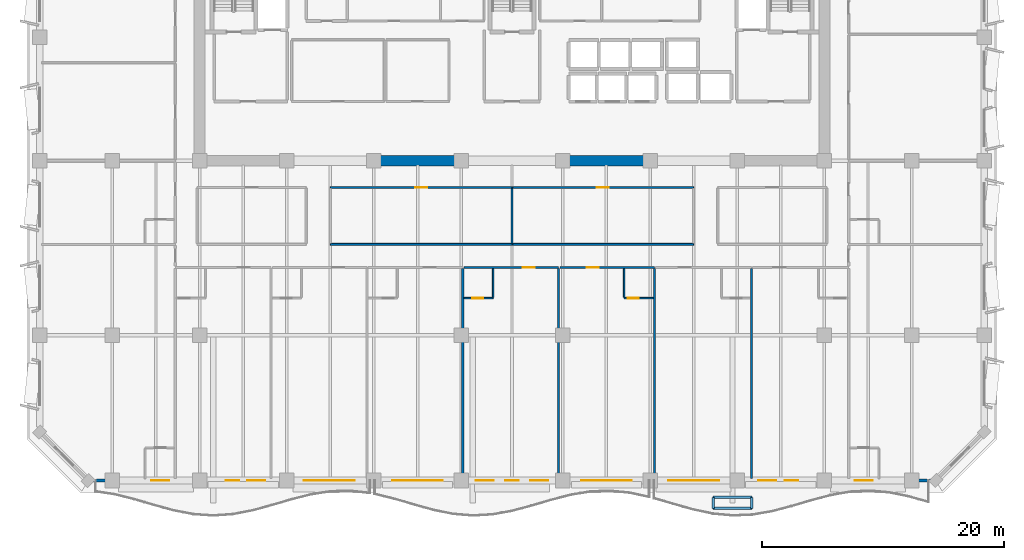
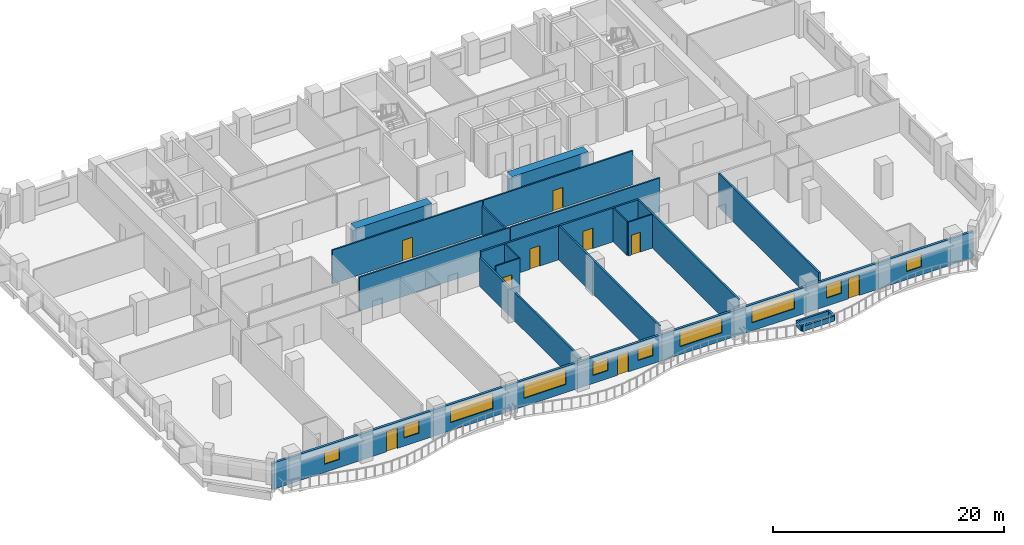
# One storey, part 5 of 15: 22 walls, 10 windows, 9 doors, 19 openings.
"""IFC4 building model written with IfcOpenShell, lengths in metres."""

from ifc_helpers import new_model, si_unit, direction, frame, frame_2d, origin, place, context, subcontext, project, spatial, rectangle, extrude, material, layer, layer_set, type_object, element, fill, save


model = new_model("IFC4")

# Units and contexts
model_context = context("Model", 3, precision=1e-05, world=origin(), true_north=direction((0.0, 1.0)))
body_context = subcontext(model_context, "Body", "Model", "MODEL_VIEW")
ifc_project = project(units=[si_unit("LENGTHUNIT", "METRE"), si_unit("AREAUNIT", "SQUARE_METRE"), si_unit("VOLUMEUNIT", "CUBIC_METRE"), si_unit("PLANEANGLEUNIT", "RADIAN"), si_unit("MASSUNIT", "GRAM", prefix="KILO")], contexts=[model_context])

# Site, building, storey
site_placement = place(None, origin())
site = spatial("IfcSite", under=ifc_project, at=site_placement, CompositionType="ELEMENT")
building_placement = place(site_placement, origin())
building = spatial("IfcBuilding", under=site, at=building_placement, Name="Kaelvorn Grand Hotel", CompositionType="ELEMENT")
storey_placement = place(building_placement, frame((0.0, 0.0, 177.14990234375)))
storey = spatial("IfcBuildingStorey", under=building, at=storey_placement, Name="L43", CompositionType="ELEMENT", Elevation=177.14990234375)

# Walls
ifc_material_1 = material(Name="Concrete C60/75", Category="concrete")
ifc_layer_1 = layer(ifc_material_1, 0.89990234375)
ifc_layer_set_1 = layer_set([ifc_layer_1], Name="Concrete C60/75")
wall_type_1 = type_object("IfcWallType", Name="WL-CORE-900-C60", PredefinedType="SHEAR", material=ifc_layer_set_1)
for number, where, z_axis, x_axis, name in (
    (1, (30.39990234375, 29.39990234375, 0.0), (0.0, 0.0, 1.0), (1.0, 0.0, 0.0), "L43 Rear-Core Coupled Shear Pier S2"),
    (2, (46.0, 29.39990234375, 0.0), (0.0, 0.0, 1.0), (1.0, 0.0, 0.0), "L43 Rear-Core Coupled Shear Pier S3"),
):
    element("IfcWall", number, at=place(storey_placement, frame(where, z_axis=z_axis, x_axis=x_axis)), inside=storey, type_object=wall_type_1, Name=name, PredefinedType="SHEAR", context=body_context, shape_type="SweptSolid", body=[
        extrude(rectangle(XDim=7.60009765625, YDim=0.89990234375, at=frame_2d((3.800048828125, 0.0))), origin(), (0.0, 0.0, 1.0), 3.56005859375),
    ])

# Wall, openings, doors, windows
ifc_material_2 = material(Name="Concrete C40/50", Category="concrete")
ifc_layer_2 = layer(ifc_material_2, 0.239990234375)
ifc_layer_set_2 = layer_set([ifc_layer_2], Name="Concrete C40/50")
wall_type_2 = type_object("IfcWallType", Name="WL-EXT-240-C40", PredefinedType="SOLIDWALL", material=ifc_layer_set_2)
wall_1_placement = place(storey_placement, frame((7.0, 3.0, 0.0), z_axis=(0.0, 0.0, 1.0), x_axis=(1.0, 0.0, 0.0)))
wall_1 = element("IfcWall", 3, at=wall_1_placement, inside=storey, type_object=wall_type_2, Name="L43 Exterior Architectural Concrete Wall 01", PredefinedType="SOLIDWALL", context=body_context, shape_type="SweptSolid", body=[
    extrude(rectangle(XDim=70.0, YDim=0.239990234375, at=frame_2d((35.0, 0.0))), origin(), (0.0, 0.0, 1.0), 2.760009765625),
])
opening_1_placement = place(wall_1_placement, frame((11.38330078125, 0.0, 0.0)))
opening_1 = element("IfcOpeningElement", 4, at=opening_1_placement, cuts=wall_1, Name="Opening DE2", PredefinedType="OPENING", context=body_context, shape_type="SweptSolid", body=[
    extrude(rectangle(XDim=1.10009765625, YDim=2.14990234375, at=frame_2d((0.550048828125, 1.074951171875))), frame((0.0, 0.1298828125, 0.0), z_axis=(0.0, -1.0, 0.0), x_axis=(1.0, 0.0, 0.0)), (0.0, 0.0, 1.0), 0.260009765625),
])
opening_2_placement = place(wall_1_placement, frame((34.449951171875, 0.0, 0.0)))
opening_2 = element("IfcOpeningElement", 5, at=opening_2_placement, cuts=wall_1, Name="Opening DE2", PredefinedType="OPENING", context=body_context, shape_type="SweptSolid", body=[
    extrude(rectangle(XDim=1.10009765625, YDim=2.14990234375, at=frame_2d((0.550048828125, 1.074951171875))), frame((0.0, 0.1298828125, 0.0), z_axis=(0.0, -1.0, 0.0), x_axis=(1.0, 0.0, 0.0)), (0.0, 0.0, 1.0), 0.260009765625),
])
opening_3_placement = place(wall_1_placement, frame((57.5166015625, 0.0, 0.0)))
opening_3 = element("IfcOpeningElement", 6, at=opening_3_placement, cuts=wall_1, Name="Opening DE2", PredefinedType="OPENING", context=body_context, shape_type="SweptSolid", body=[
    extrude(rectangle(XDim=1.10009765625, YDim=2.14990234375, at=frame_2d((0.550048828125, 1.074951171875))), frame((0.0, 0.1298828125, 0.0), z_axis=(0.0, -1.0, 0.0), x_axis=(1.0, 0.0, 0.0)), (0.0, 0.0, 1.0), 0.260009765625),
])
opening_4_placement = place(wall_1_placement, frame((5.199951171875, 0.0, 0.85009765625)))
opening_4 = element("IfcOpeningElement", 7, at=opening_4_placement, cuts=wall_1, Name="Opening W10", PredefinedType="OPENING", context=body_context, shape_type="SweptSolid", body=[
    extrude(rectangle(XDim=1.5, YDim=1.39990234375, at=frame_2d((0.75, 0.699951171875))), frame((0.0, 0.1298828125, 0.0), z_axis=(0.0, -1.0, 0.0), x_axis=(1.0, 0.0, 0.0)), (0.0, 0.0, 1.0), 0.260009765625),
])
opening_5_placement = place(wall_1_placement, frame((13.132568359375, 0.0, 0.85009765625)))
opening_5 = element("IfcOpeningElement", 8, at=opening_5_placement, cuts=wall_1, Name="Opening W10", PredefinedType="OPENING", context=body_context, shape_type="SweptSolid", body=[
    extrude(rectangle(XDim=1.5, YDim=1.39990234375, at=frame_2d((0.75, 0.699951171875))), frame((0.0, 0.1298828125, 0.0), z_axis=(0.0, -1.0, 0.0), x_axis=(1.0, 0.0, 0.0)), (0.0, 0.0, 1.0), 0.260009765625),
])
opening_6_placement = place(wall_1_placement, frame((17.8125, 0.0, 0.85009765625)))
opening_6 = element("IfcOpeningElement", 9, at=opening_6_placement, cuts=wall_1, Name="Opening W2", PredefinedType="OPENING", context=body_context, shape_type="SweptSolid", body=[
    extrude(rectangle(XDim=4.199951171875, YDim=1.64990234375, at=frame_2d((2.10009765625, 0.824951171875))), frame((0.0, 0.1298828125, 0.0), z_axis=(0.0, -1.0, 0.0), x_axis=(1.0, 0.0, 0.0)), (0.0, 0.0, 1.0), 0.260009765625),
])
opening_7_placement = place(wall_1_placement, frame((25.10009765625, 0.0, 0.85009765625)))
opening_7 = element("IfcOpeningElement", 10, at=opening_7_placement, cuts=wall_1, Name="Opening W2", PredefinedType="OPENING", context=body_context, shape_type="SweptSolid", body=[
    extrude(rectangle(XDim=4.199951171875, YDim=1.64990234375, at=frame_2d((2.10009765625, 0.824951171875))), frame((0.0, 0.1298828125, 0.0), z_axis=(0.0, -1.0, 0.0), x_axis=(1.0, 0.0, 0.0)), (0.0, 0.0, 1.0), 0.260009765625),
])
opening_8_placement = place(wall_1_placement, frame((31.989990234375, 0.0, 0.85009765625)))
opening_8 = element("IfcOpeningElement", 11, at=opening_8_placement, cuts=wall_1, Name="Opening W10", PredefinedType="OPENING", context=body_context, shape_type="SweptSolid", body=[
    extrude(rectangle(XDim=1.5, YDim=1.39990234375, at=frame_2d((0.75, 0.699951171875))), frame((0.0, 0.1298828125, 0.0), z_axis=(0.0, -1.0, 0.0), x_axis=(1.0, 0.0, 0.0)), (0.0, 0.0, 1.0), 0.260009765625),
])
opening_9_placement = place(wall_1_placement, frame((36.510009765625, 0.0, 0.85009765625)))
opening_9 = element("IfcOpeningElement", 12, at=opening_9_placement, cuts=wall_1, Name="Opening W10", PredefinedType="OPENING", context=body_context, shape_type="SweptSolid", body=[
    extrude(rectangle(XDim=1.5, YDim=1.39990234375, at=frame_2d((0.75, 0.699951171875))), frame((0.0, 0.1298828125, 0.0), z_axis=(0.0, -1.0, 0.0), x_axis=(1.0, 0.0, 0.0)), (0.0, 0.0, 1.0), 0.260009765625),
])
opening_10_placement = place(wall_1_placement, frame((40.699951171875, 0.0, 0.85009765625)))
opening_10 = element("IfcOpeningElement", 13, at=opening_10_placement, cuts=wall_1, Name="Opening W2", PredefinedType="OPENING", context=body_context, shape_type="SweptSolid", body=[
    extrude(rectangle(XDim=4.199951171875, YDim=1.64990234375, at=frame_2d((2.10009765625, 0.824951171875))), frame((0.0, 0.1298828125, 0.0), z_axis=(0.0, -1.0, 0.0), x_axis=(1.0, 0.0, 0.0)), (0.0, 0.0, 1.0), 0.260009765625),
])
opening_11_placement = place(wall_1_placement, frame((47.89990234375, 0.0, 0.85009765625)))
opening_11 = element("IfcOpeningElement", 14, at=opening_11_placement, cuts=wall_1, Name="Opening W2", PredefinedType="OPENING", context=body_context, shape_type="SweptSolid", body=[
    extrude(rectangle(XDim=4.199951171875, YDim=1.64990234375, at=frame_2d((2.10009765625, 0.824951171875))), frame((0.0, 0.1298828125, 0.0), z_axis=(0.0, -1.0, 0.0), x_axis=(1.0, 0.0, 0.0)), (0.0, 0.0, 1.0), 0.260009765625),
])
opening_12_placement = place(wall_1_placement, frame((55.31396484375, 0.0, 0.85009765625)))
opening_12 = element("IfcOpeningElement", 15, at=opening_12_placement, cuts=wall_1, Name="Opening W10", PredefinedType="OPENING", context=body_context, shape_type="SweptSolid", body=[
    extrude(rectangle(XDim=1.5, YDim=1.39990234375, at=frame_2d((0.75, 0.699951171875))), frame((0.0, 0.1298828125, 0.0), z_axis=(0.0, -1.0, 0.0), x_axis=(1.0, 0.0, 0.0)), (0.0, 0.0, 1.0), 0.260009765625),
])
opening_13_placement = place(wall_1_placement, frame((63.300048828125, 0.0, 0.85009765625)))
opening_13 = element("IfcOpeningElement", 16, at=opening_13_placement, cuts=wall_1, Name="Opening W10", PredefinedType="OPENING", context=body_context, shape_type="SweptSolid", body=[
    extrude(rectangle(XDim=1.5, YDim=1.39990234375, at=frame_2d((0.75, 0.699951171875))), frame((0.0, 0.1298828125, 0.0), z_axis=(0.0, -1.0, 0.0), x_axis=(1.0, 0.0, 0.0)), (0.0, 0.0, 1.0), 0.260009765625),
])
ifc_material_3 = material(Name="Anodised Aluminium", Category="aluminium")
door_type_1 = type_object("IfcDoorType", Name="DR-EXT-BALC-1100x2150", OperationType="NOTDEFINED", PredefinedType="DOOR", material=ifc_material_3)
door_1_placement = place(opening_1_placement, origin())
door_1 = element("IfcDoor", 17, at=door_1_placement, inside=storey, type_object=door_type_1, Name="L43 Scalloped Balcony Glazed Door DE2-1", OperationType="SINGLE_SWING_LEFT", OverallHeight=2.14990234375, OverallWidth=1.10009765625, PredefinedType="DOOR", context=body_context, shape_type="SweptSolid", body=[
    extrude(rectangle(XDim=1.10009765625, YDim=2.14990234375, at=frame_2d((0.550048828125, 1.074951171875))), frame((0.0, 0.02490234375, 0.0), z_axis=(0.0, -1.0, 0.0), x_axis=(1.0, 0.0, 0.0)), (0.0, 0.0, 1.0), 0.050048828125),
])
fill(opening_1, door_1)
door_2_placement = place(opening_2_placement, origin())
door_2 = element("IfcDoor", 18, at=door_2_placement, inside=storey, type_object=door_type_1, Name="L43 Scalloped Balcony Glazed Door DE2-2", OperationType="SINGLE_SWING_RIGHT", OverallHeight=2.14990234375, OverallWidth=1.10009765625, PredefinedType="DOOR", context=body_context, shape_type="SweptSolid", body=[
    extrude(rectangle(XDim=1.10009765625, YDim=2.14990234375, at=frame_2d((0.550048828125, 1.074951171875))), frame((0.0, 0.02490234375, 0.0), z_axis=(0.0, -1.0, 0.0), x_axis=(1.0, 0.0, 0.0)), (0.0, 0.0, 1.0), 0.050048828125),
])
fill(opening_2, door_2)
door_3_placement = place(opening_3_placement, origin())
door_3 = element("IfcDoor", 19, at=door_3_placement, inside=storey, type_object=door_type_1, Name="L43 Scalloped Balcony Glazed Door DE2-3", OperationType="SINGLE_SWING_LEFT", OverallHeight=2.14990234375, OverallWidth=1.10009765625, PredefinedType="DOOR", context=body_context, shape_type="SweptSolid", body=[
    extrude(rectangle(XDim=1.10009765625, YDim=2.14990234375, at=frame_2d((0.550048828125, 1.074951171875))), frame((0.0, 0.02490234375, 0.0), z_axis=(0.0, -1.0, 0.0), x_axis=(1.0, 0.0, 0.0)), (0.0, 0.0, 1.0), 0.050048828125),
])
fill(opening_3, door_3)
ifc_material_4 = material(Name="Laminated Low-E Glass", Category="glass")
window_type_1 = type_object("IfcWindowType", Name="WIN-COR-1500x1400", PartitioningType="SINGLE_PANEL", PredefinedType="WINDOW", material=ifc_material_4)
window_1_placement = place(opening_4_placement, origin())
window_1 = element("IfcWindow", 20, at=window_1_placement, inside=storey, type_object=window_type_1, Name="L43 South Guestroom Ribbon Window SR01", OverallHeight=1.39990234375, OverallWidth=1.5, PartitioningType="SINGLE_PANEL", PredefinedType="WINDOW", context=body_context, shape_type="SweptSolid", body=[
    extrude(rectangle(XDim=1.5, YDim=1.39990234375, at=frame_2d((0.75, 0.699951171875))), frame((0.0, 0.030029296875, 0.0), z_axis=(0.0, -1.0, 0.0), x_axis=(1.0, 0.0, 0.0)), (0.0, 0.0, 1.0), 0.06005859375),
])
fill(opening_4, window_1)
window_2_placement = place(opening_5_placement, origin())
window_2 = element("IfcWindow", 21, at=window_2_placement, inside=storey, type_object=window_type_1, Name="L43 South Guestroom Ribbon Window SR02", OverallHeight=1.39990234375, OverallWidth=1.5, PartitioningType="SINGLE_PANEL", PredefinedType="WINDOW", context=body_context, shape_type="SweptSolid", body=[
    extrude(rectangle(XDim=1.5, YDim=1.39990234375, at=frame_2d((0.75, 0.699951171875))), frame((0.0, 0.030029296875, 0.0), z_axis=(0.0, -1.0, 0.0), x_axis=(1.0, 0.0, 0.0)), (0.0, 0.0, 1.0), 0.06005859375),
])
fill(opening_5, window_2)
window_3_placement = place(opening_8_placement, origin())
window_3 = element("IfcWindow", 22, at=window_3_placement, inside=storey, type_object=window_type_1, Name="L43 South Guestroom Ribbon Window SR05", OverallHeight=1.39990234375, OverallWidth=1.5, PartitioningType="SINGLE_PANEL", PredefinedType="WINDOW", context=body_context, shape_type="SweptSolid", body=[
    extrude(rectangle(XDim=1.5, YDim=1.39990234375, at=frame_2d((0.75, 0.699951171875))), frame((0.0, 0.030029296875, 0.0), z_axis=(0.0, -1.0, 0.0), x_axis=(1.0, 0.0, 0.0)), (0.0, 0.0, 1.0), 0.06005859375),
])
fill(opening_8, window_3)
window_4_placement = place(opening_9_placement, origin())
window_4 = element("IfcWindow", 23, at=window_4_placement, inside=storey, type_object=window_type_1, Name="L43 South Guestroom Ribbon Window SR06", OverallHeight=1.39990234375, OverallWidth=1.5, PartitioningType="SINGLE_PANEL", PredefinedType="WINDOW", context=body_context, shape_type="SweptSolid", body=[
    extrude(rectangle(XDim=1.5, YDim=1.39990234375, at=frame_2d((0.75, 0.699951171875))), frame((0.0, 0.030029296875, 0.0), z_axis=(0.0, -1.0, 0.0), x_axis=(1.0, 0.0, 0.0)), (0.0, 0.0, 1.0), 0.06005859375),
])
fill(opening_9, window_4)
window_5_placement = place(opening_12_placement, origin())
window_5 = element("IfcWindow", 24, at=window_5_placement, inside=storey, type_object=window_type_1, Name="L43 South Guestroom Ribbon Window SR09", OverallHeight=1.39990234375, OverallWidth=1.5, PartitioningType="SINGLE_PANEL", PredefinedType="WINDOW", context=body_context, shape_type="SweptSolid", body=[
    extrude(rectangle(XDim=1.5, YDim=1.39990234375, at=frame_2d((0.75, 0.699951171875))), frame((0.0, 0.030029296875, 0.0), z_axis=(0.0, -1.0, 0.0), x_axis=(1.0, 0.0, 0.0)), (0.0, 0.0, 1.0), 0.06005859375),
])
fill(opening_12, window_5)
window_6_placement = place(opening_13_placement, origin())
window_6 = element("IfcWindow", 25, at=window_6_placement, inside=storey, type_object=window_type_1, Name="L43 South Guestroom Ribbon Window SR10", OverallHeight=1.39990234375, OverallWidth=1.5, PartitioningType="SINGLE_PANEL", PredefinedType="WINDOW", context=body_context, shape_type="SweptSolid", body=[
    extrude(rectangle(XDim=1.5, YDim=1.39990234375, at=frame_2d((0.75, 0.699951171875))), frame((0.0, 0.030029296875, 0.0), z_axis=(0.0, -1.0, 0.0), x_axis=(1.0, 0.0, 0.0)), (0.0, 0.0, 1.0), 0.06005859375),
])
fill(opening_13, window_6)
window_type_2 = type_object("IfcWindowType", Name="WIN-RIB-4200x1650", PartitioningType="SINGLE_PANEL", PredefinedType="WINDOW", material=ifc_material_4)
window_7_placement = place(opening_6_placement, origin())
window_7 = element("IfcWindow", 26, at=window_7_placement, inside=storey, type_object=window_type_2, Name="L43 South Guestroom Ribbon Window SR03", OverallHeight=1.64990234375, OverallWidth=4.199951171875, PartitioningType="SINGLE_PANEL", PredefinedType="WINDOW", context=body_context, shape_type="SweptSolid", body=[
    extrude(rectangle(XDim=4.199951171875, YDim=1.64990234375, at=frame_2d((2.10009765625, 0.824951171875))), frame((0.0, 0.030029296875, 0.0), z_axis=(0.0, -1.0, 0.0), x_axis=(1.0, 0.0, 0.0)), (0.0, 0.0, 1.0), 0.06005859375),
])
fill(opening_6, window_7)
window_8_placement = place(opening_7_placement, origin())
window_8 = element("IfcWindow", 27, at=window_8_placement, inside=storey, type_object=window_type_2, Name="L43 South Guestroom Ribbon Window SR04", OverallHeight=1.64990234375, OverallWidth=4.199951171875, PartitioningType="SINGLE_PANEL", PredefinedType="WINDOW", context=body_context, shape_type="SweptSolid", body=[
    extrude(rectangle(XDim=4.199951171875, YDim=1.64990234375, at=frame_2d((2.10009765625, 0.824951171875))), frame((0.0, 0.030029296875, 0.0), z_axis=(0.0, -1.0, 0.0), x_axis=(1.0, 0.0, 0.0)), (0.0, 0.0, 1.0), 0.06005859375),
])
fill(opening_7, window_8)
window_9_placement = place(opening_10_placement, origin())
window_9 = element("IfcWindow", 28, at=window_9_placement, inside=storey, type_object=window_type_2, Name="L43 South Guestroom Ribbon Window SR07", OverallHeight=1.64990234375, OverallWidth=4.199951171875, PartitioningType="SINGLE_PANEL", PredefinedType="WINDOW", context=body_context, shape_type="SweptSolid", body=[
    extrude(rectangle(XDim=4.199951171875, YDim=1.64990234375, at=frame_2d((2.10009765625, 0.824951171875))), frame((0.0, 0.030029296875, 0.0), z_axis=(0.0, -1.0, 0.0), x_axis=(1.0, 0.0, 0.0)), (0.0, 0.0, 1.0), 0.06005859375),
])
fill(opening_10, window_9)
window_10_placement = place(opening_11_placement, origin())
window_10 = element("IfcWindow", 29, at=window_10_placement, inside=storey, type_object=window_type_2, Name="L43 South Guestroom Ribbon Window SR08", OverallHeight=1.64990234375, OverallWidth=4.199951171875, PartitioningType="SINGLE_PANEL", PredefinedType="WINDOW", context=body_context, shape_type="SweptSolid", body=[
    extrude(rectangle(XDim=4.199951171875, YDim=1.64990234375, at=frame_2d((2.10009765625, 0.824951171875))), frame((0.0, 0.030029296875, 0.0), z_axis=(0.0, -1.0, 0.0), x_axis=(1.0, 0.0, 0.0)), (0.0, 0.0, 1.0), 0.06005859375),
])
fill(opening_11, window_10)

# Wall, opening, door
ifc_material_5 = material(Name="Moisture-Resistant Tile & Stud Board")
ifc_layer_3 = layer(ifc_material_5, 0.125)
ifc_layer_set_3 = layer_set([ifc_layer_3], Name="Moisture-Resistant Tile & Stud Board")
wall_type_3 = type_object("IfcWallType", Name="WL-PART-125-WET", PredefinedType="PARTITIONING", material=ifc_layer_set_3)
wall_2_placement = place(storey_placement, frame((38.031982421875, 18.050048828125, 0.0), z_axis=(0.0, 0.0, 1.0), x_axis=(1.0, 0.0, 0.0)))
wall_2 = element("IfcWall", 30, at=wall_2_placement, inside=storey, type_object=wall_type_3, Name="L43 En-suite Bathroom L43-04 S Partition", PredefinedType="PARTITIONING", context=body_context, shape_type="SweptSolid", body=[
    extrude(rectangle(XDim=2.405029296875, YDim=0.125, at=frame_2d((1.20263671875, 0.0))), origin(), (0.0, 0.0, 1.0), 3.56005859375),
])
opening_14_placement = place(wall_2_placement, frame((0.705078125, 0.0, 0.0)))
opening_14 = element("IfcOpeningElement", 31, at=opening_14_placement, cuts=wall_2, Name="Opening DI4", PredefinedType="OPENING", context=body_context, shape_type="SweptSolid", body=[
    extrude(rectangle(XDim=0.89990234375, YDim=2.10009765625, at=frame_2d((0.449951171875, 1.050048828125))), frame((0.0, 0.072509765625, 0.0), z_axis=(0.0, -1.0, 0.0), x_axis=(1.0, 0.0, 0.0)), (0.0, 0.0, 1.0), 0.14501953125),
])
ifc_material_6 = material(Name="Timber Veneer Leaf", Category="wood")
door_type_2 = type_object("IfcDoorType", Name="DR-INT-BATH-900x2100", OperationType="NOTDEFINED", PredefinedType="DOOR", material=ifc_material_6)
door_4_placement = place(opening_14_placement, origin())
door_4 = element("IfcDoor", 32, at=door_4_placement, inside=storey, type_object=door_type_2, Name="L43 En-suite Bathroom L43-04 Door", OperationType="SINGLE_SWING_RIGHT", OverallHeight=2.10009765625, OverallWidth=0.89990234375, PredefinedType="DOOR", context=body_context, shape_type="SweptSolid", body=[
    extrude(rectangle(XDim=0.89990234375, YDim=2.10009765625, at=frame_2d((0.449951171875, 1.050048828125))), frame((0.0, 0.02490234375, 0.0), z_axis=(0.0, -1.0, 0.0), x_axis=(1.0, 0.0, 0.0)), (0.0, 0.0, 1.0), 0.050048828125),
])
fill(opening_14, door_4)

# Wall
wall_3_placement = place(storey_placement, frame((40.43701171875, 18.117431640625, 0.0), z_axis=(0.0, 0.0, 1.0), x_axis=(0.0, 1.0, 0.0)))
element("IfcWall", 33, at=wall_3_placement, inside=storey, type_object=wall_type_3, Name="L43 En-suite Bathroom L43-04 E Partition", PredefinedType="PARTITIONING", context=body_context, shape_type="SweptSolid", body=[
    extrude(rectangle(XDim=2.387451171875, YDim=0.125, at=frame_2d((1.19384765625, 0.0))), origin(), (0.0, 0.0, 1.0), 3.56005859375),
])

# Wall, opening, door
wall_4_placement = place(storey_placement, frame((51.261474609375, 18.050048828125, 0.0), z_axis=(0.0, 0.0, 1.0), x_axis=(1.0, 0.0, 0.0)))
wall_4 = element("IfcWall", 34, at=wall_4_placement, inside=storey, type_object=wall_type_3, Name="L43 En-suite Bathroom L43-05 S Partition", PredefinedType="PARTITIONING", context=body_context, shape_type="SweptSolid", body=[
    extrude(rectangle(XDim=2.405029296875, YDim=0.125, at=frame_2d((1.20263671875, 0.0))), origin(), (0.0, 0.0, 1.0), 3.56005859375),
])
opening_15_placement = place(wall_4_placement, frame((0.300048828125, 0.0, 0.0)))
opening_15 = element("IfcOpeningElement", 35, at=opening_15_placement, cuts=wall_4, Name="Opening DI4", PredefinedType="OPENING", context=body_context, shape_type="SweptSolid", body=[
    extrude(rectangle(XDim=0.89990234375, YDim=2.10009765625, at=frame_2d((0.449951171875, 1.050048828125))), frame((0.0, 0.072509765625, 0.0), z_axis=(0.0, -1.0, 0.0), x_axis=(1.0, 0.0, 0.0)), (0.0, 0.0, 1.0), 0.14501953125),
])
door_5_placement = place(opening_15_placement, origin())
door_5 = element("IfcDoor", 36, at=door_5_placement, inside=storey, type_object=door_type_2, Name="L43 En-suite Bathroom L43-05 Door", OperationType="SINGLE_SWING_RIGHT", OverallHeight=2.10009765625, OverallWidth=0.89990234375, PredefinedType="DOOR", context=body_context, shape_type="SweptSolid", body=[
    extrude(rectangle(XDim=0.89990234375, YDim=2.10009765625, at=frame_2d((0.449951171875, 1.050048828125))), frame((0.0, 0.02490234375, 0.0), z_axis=(0.0, -1.0, 0.0), x_axis=(1.0, 0.0, 0.0)), (0.0, 0.0, 1.0), 0.050048828125),
])
fill(opening_15, door_5)

# Walls
wall_5_placement = place(storey_placement, frame((51.261474609375, 18.117431640625, 0.0), z_axis=(0.0, 0.0, 1.0), x_axis=(0.0, 1.0, 0.0)))
element("IfcWall", 37, at=wall_5_placement, inside=storey, type_object=wall_type_3, Name="L43 En-suite Bathroom L43-05 W Partition", PredefinedType="PARTITIONING", context=body_context, shape_type="SweptSolid", body=[
    extrude(rectangle(XDim=2.387451171875, YDim=0.125, at=frame_2d((1.19384765625, 0.0))), origin(), (0.0, 0.0, 1.0), 3.56005859375),
])
ifc_material_7 = material(Name="Acoustic Gypsum & Stud Partition")
ifc_layer_4 = layer(ifc_material_7, 0.14990234375)
ifc_layer_set_4 = layer_set([ifc_layer_4], Name="Acoustic Gypsum & Stud Partition")
wall_type_4 = type_object("IfcWallType", Name="WL-PART-150-EI60", PredefinedType="PARTITIONING", material=ifc_layer_set_4)
wall_6_placement = place(storey_placement, frame((27.0, 22.5, 0.0), z_axis=(0.0, 0.0, 1.0), x_axis=(1.0, 0.0, 0.0)))
element("IfcWall", 38, at=wall_6_placement, inside=storey, type_object=wall_type_4, Name="L43 Sommelier Wine Bar S Partition", PredefinedType="PARTITIONING", context=body_context, shape_type="SweptSolid", body=[
    extrude(rectangle(XDim=15.0, YDim=0.14990234375, at=frame_2d((7.5, 0.0))), origin(), (0.0, 0.0, 1.0), 3.56005859375),
])

# Wall, opening, door
wall_7_placement = place(storey_placement, frame((27.0, 27.199951171875, 0.0), z_axis=(0.0, 0.0, 1.0), x_axis=(1.0, 0.0, 0.0)))
wall_7 = element("IfcWall", 39, at=wall_7_placement, inside=storey, type_object=wall_type_4, Name="L43 Sommelier Wine Bar N Partition", PredefinedType="PARTITIONING", context=body_context, shape_type="SweptSolid", body=[
    extrude(rectangle(XDim=15.0, YDim=0.14990234375, at=frame_2d((7.5, 0.0))), origin(), (0.0, 0.0, 1.0), 3.56005859375),
])
opening_16_placement = place(wall_7_placement, frame((7.0, 0.0, 0.0)))
opening_16 = element("IfcOpeningElement", 40, at=opening_16_placement, cuts=wall_7, Name="Opening DI3", PredefinedType="OPENING", context=body_context, shape_type="SweptSolid", body=[
    extrude(rectangle(XDim=1.0, YDim=2.14990234375, at=frame_2d((0.5, 1.074951171875))), frame((0.0, 0.0849609375, 0.0), z_axis=(0.0, -1.0, 0.0), x_axis=(1.0, 0.0, 0.0)), (0.0, 0.0, 1.0), 0.169921875),
])
ifc_material_8 = material(Name="Timber Veneer Fire Leaf", Category="wood")
door_type_3 = type_object("IfcDoorType", Name="DR-INT-GUEST-1000x2150", OperationType="NOTDEFINED", PredefinedType="DOOR", material=ifc_material_8)
door_6_placement = place(opening_16_placement, origin())
door_6 = element("IfcDoor", 41, at=door_6_placement, inside=storey, type_object=door_type_3, Name="L43 Sommelier Wine Bar Door", OperationType="SINGLE_SWING_RIGHT", OverallHeight=2.14990234375, OverallWidth=1.0, PredefinedType="DOOR", context=body_context, shape_type="SweptSolid", body=[
    extrude(rectangle(XDim=1.0, YDim=2.14990234375, at=frame_2d((0.5, 1.074951171875))), frame((0.0, 0.02490234375, 0.0), z_axis=(0.0, -1.0, 0.0), x_axis=(1.0, 0.0, 0.0)), (0.0, 0.0, 1.0), 0.050048828125),
])
fill(opening_16, door_6)

# Walls
wall_8_placement = place(storey_placement, frame((42.0, 22.580078125, 0.0), z_axis=(0.0, 0.0, 1.0), x_axis=(0.0, 1.0, 0.0)))
element("IfcWall", 42, at=wall_8_placement, inside=storey, type_object=wall_type_4, Name="L43 Sommelier Wine Bar E Partition", PredefinedType="PARTITIONING", context=body_context, shape_type="SweptSolid", body=[
    extrude(rectangle(XDim=4.5400390625, YDim=0.14990234375, at=frame_2d((2.27001953125, 0.0))), origin(), (0.0, 0.0, 1.0), 3.06005859375),
])
wall_9_placement = place(storey_placement, frame((42.080078125, 22.5, 0.0), z_axis=(0.0, 0.0, 1.0), x_axis=(1.0, 0.0, 0.0)))
element("IfcWall", 43, at=wall_9_placement, inside=storey, type_object=wall_type_4, Name="L43 Business Meeting Room S Partition", PredefinedType="PARTITIONING", context=body_context, shape_type="SweptSolid", body=[
    extrude(rectangle(XDim=14.919921875, YDim=0.14990234375, at=frame_2d((7.4599609375, 0.0))), origin(), (0.0, 0.0, 1.0), 3.56005859375),
])

# Wall, opening, door
wall_10_placement = place(storey_placement, frame((42.080078125, 27.199951171875, 0.0), z_axis=(0.0, 0.0, 1.0), x_axis=(1.0, 0.0, 0.0)))
wall_10 = element("IfcWall", 44, at=wall_10_placement, inside=storey, type_object=wall_type_4, Name="L43 Business Meeting Room N Partition", PredefinedType="PARTITIONING", context=body_context, shape_type="SweptSolid", body=[
    extrude(rectangle(XDim=14.919921875, YDim=0.14990234375, at=frame_2d((7.4599609375, 0.0))), origin(), (0.0, 0.0, 1.0), 3.56005859375),
])
opening_17_placement = place(wall_10_placement, frame((6.919921875, 0.0, 0.0)))
opening_17 = element("IfcOpeningElement", 45, at=opening_17_placement, cuts=wall_10, Name="Opening DI3", PredefinedType="OPENING", context=body_context, shape_type="SweptSolid", body=[
    extrude(rectangle(XDim=1.0, YDim=2.14990234375, at=frame_2d((0.5, 1.074951171875))), frame((0.0, 0.0849609375, 0.0), z_axis=(0.0, -1.0, 0.0), x_axis=(1.0, 0.0, 0.0)), (0.0, 0.0, 1.0), 0.169921875),
])
door_7_placement = place(opening_17_placement, origin())
door_7 = element("IfcDoor", 46, at=door_7_placement, inside=storey, type_object=door_type_3, Name="L43 Business Meeting Room Door", OperationType="SINGLE_SWING_LEFT", OverallHeight=2.14990234375, OverallWidth=1.0, PredefinedType="DOOR", context=body_context, shape_type="SweptSolid", body=[
    extrude(rectangle(XDim=1.0, YDim=2.14990234375, at=frame_2d((0.5, 1.074951171875))), frame((0.0, 0.02490234375, 0.0), z_axis=(0.0, -1.0, 0.0), x_axis=(1.0, 0.0, 0.0)), (0.0, 0.0, 1.0), 0.050048828125),
])
fill(opening_17, door_7)

# Wall
ifc_layer_5 = layer(ifc_material_7, 0.179931640625)
ifc_layer_set_5 = layer_set([ifc_layer_5], Name="Acoustic Gypsum & Stud Partition")
wall_type_5 = type_object("IfcWallType", Name="WL-PART-180-EI60", PredefinedType="PARTITIONING", material=ifc_layer_set_5)
wall_11_placement = place(storey_placement, frame((37.93701171875, 3.14990234375, 0.0), z_axis=(0.0, 0.0, 1.0), x_axis=(0.0, 1.0, 0.0)))
element("IfcWall", 47, at=wall_11_placement, inside=storey, type_object=wall_type_5, Name="L43 Mid-Rise Signature Suite L43-03 E Partition", PredefinedType="PARTITIONING", context=body_context, shape_type="SweptSolid", body=[
    extrude(rectangle(XDim=17.35498046875, YDim=0.179931640625, at=frame_2d((8.677490234375, 0.0))), origin(), (0.0, 0.0, 1.0), 3.010009765625),
])

# Wall, opening, door
wall_12_placement = place(storey_placement, frame((38.031982421875, 20.60009765625, 0.0), z_axis=(0.0, 0.0, 1.0), x_axis=(1.0, 0.0, 0.0)))
wall_12 = element("IfcWall", 48, at=wall_12_placement, inside=storey, type_object=wall_type_5, Name="L43 Mid-Rise Signature Suite L43-04 N Partition", PredefinedType="PARTITIONING", context=body_context, shape_type="SweptSolid", body=[
    extrude(rectangle(XDim=7.817138671875, YDim=0.179931640625, at=frame_2d((3.90869140625, 0.0))), origin(), (0.0, 0.0, 1.0), 3.56005859375),
])
opening_18_placement = place(wall_12_placement, frame((4.8466796875, 0.0, 0.0)))
opening_18 = element("IfcOpeningElement", 49, at=opening_18_placement, cuts=wall_12, Name="Opening DI3", PredefinedType="OPENING", context=body_context, shape_type="SweptSolid", body=[
    extrude(rectangle(XDim=1.0, YDim=2.14990234375, at=frame_2d((0.5, 1.074951171875))), frame((0.0, 0.10009765625, 0.0), z_axis=(0.0, -1.0, 0.0), x_axis=(1.0, 0.0, 0.0)), (0.0, 0.0, 1.0), 0.199951171875),
])
door_8_placement = place(opening_18_placement, origin())
door_8 = element("IfcDoor", 50, at=door_8_placement, inside=storey, type_object=door_type_3, Name="L43 Mid-Rise Signature Suite L43-04 Door", OperationType="SINGLE_SWING_LEFT", OverallHeight=2.14990234375, OverallWidth=1.0, PredefinedType="DOOR", context=body_context, shape_type="SweptSolid", body=[
    extrude(rectangle(XDim=1.0, YDim=2.14990234375, at=frame_2d((0.5, 1.074951171875))), frame((0.0, 0.02490234375, 0.0), z_axis=(0.0, -1.0, 0.0), x_axis=(1.0, 0.0, 0.0)), (0.0, 0.0, 1.0), 0.050048828125),
])
fill(opening_18, door_8)

# Wall
wall_13_placement = place(storey_placement, frame((45.84912109375, 3.14990234375, 0.0), z_axis=(0.0, 0.0, 1.0), x_axis=(0.0, 1.0, 0.0)))
element("IfcWall", 51, at=wall_13_placement, inside=storey, type_object=wall_type_5, Name="L43 Mid-Rise Signature Suite L43-04 E Partition", PredefinedType="PARTITIONING", context=body_context, shape_type="SweptSolid", body=[
    extrude(rectangle(XDim=17.35498046875, YDim=0.179931640625, at=frame_2d((8.677490234375, 0.0))), origin(), (0.0, 0.0, 1.0), 3.56005859375),
])

# Wall, opening, door
wall_14_placement = place(storey_placement, frame((45.944091796875, 20.60009765625, 0.0), z_axis=(0.0, 0.0, 1.0), x_axis=(1.0, 0.0, 0.0)))
wall_14 = element("IfcWall", 52, at=wall_14_placement, inside=storey, type_object=wall_type_5, Name="L43 Mid-Rise Signature Suite L43-05 N Partition", PredefinedType="PARTITIONING", context=body_context, shape_type="SweptSolid", body=[
    extrude(rectangle(XDim=7.8173828125, YDim=0.179931640625, at=frame_2d((3.90869140625, 0.0))), origin(), (0.0, 0.0, 1.0), 3.56005859375),
])
opening_19_placement = place(wall_14_placement, frame((2.2265625, 0.0, 0.0)))
opening_19 = element("IfcOpeningElement", 53, at=opening_19_placement, cuts=wall_14, Name="Opening DI3", PredefinedType="OPENING", context=body_context, shape_type="SweptSolid", body=[
    extrude(rectangle(XDim=1.0, YDim=2.14990234375, at=frame_2d((0.5, 1.074951171875))), frame((0.0, 0.10009765625, 0.0), z_axis=(0.0, -1.0, 0.0), x_axis=(1.0, 0.0, 0.0)), (0.0, 0.0, 1.0), 0.199951171875),
])
door_9_placement = place(opening_19_placement, origin())
door_9 = element("IfcDoor", 54, at=door_9_placement, inside=storey, type_object=door_type_3, Name="L43 Mid-Rise Signature Suite L43-05 Door", OperationType="SINGLE_SWING_LEFT", OverallHeight=2.14990234375, OverallWidth=1.0, PredefinedType="DOOR", context=body_context, shape_type="SweptSolid", body=[
    extrude(rectangle(XDim=1.0, YDim=2.14990234375, at=frame_2d((0.5, 1.074951171875))), frame((0.0, 0.02490234375, 0.0), z_axis=(0.0, -1.0, 0.0), x_axis=(1.0, 0.0, 0.0)), (0.0, 0.0, 1.0), 0.050048828125),
])
fill(opening_19, door_9)

# Walls
for number, where, z_axis, x_axis, name in (
    (55, (53.761474609375, 3.14990234375, 0.0), (0.0, 0.0, 1.0), (0.0, 1.0, 0.0), "L43 Mid-Rise Signature Suite L43-05 E Partition"),
    (56, (61.78076171875, 3.14990234375, 0.0), (0.0, 0.0, 1.0), (0.0, 1.0, 0.0), "L43 Mid-Rise Signature Suite L43-06 E Partition"),
):
    element("IfcWall", number, at=place(storey_placement, frame(where, z_axis=z_axis, x_axis=x_axis)), inside=storey, type_object=wall_type_5, Name=name, PredefinedType="PARTITIONING", context=body_context, shape_type="SweptSolid", body=[
        extrude(rectangle(XDim=17.35498046875, YDim=0.179931640625, at=frame_2d((8.677490234375, 0.0))), origin(), (0.0, 0.0, 1.0), 3.56005859375),
    ])
ifc_layer_6 = layer(ifc_material_2, 0.199951171875)
ifc_layer_set_6 = layer_set([ifc_layer_6], Name="Concrete C40/50")
wall_type_6 = type_object("IfcWallType", Name="WL-TREE-PLANTER-200", PredefinedType="PARAPET", material=ifc_layer_set_6)
wall_15_placement = place(storey_placement, frame((58.609619140625, 0.699951171875, 0.0), z_axis=(0.0, 0.0, 1.0), x_axis=(1.0, 0.0, 0.0)))
element("IfcWall", 57, at=wall_15_placement, inside=storey, type_object=wall_type_6, Name="L43 Planted Balcony Structural TREE PLANTER Kerb 1-S", PredefinedType="PARAPET", context=body_context, shape_type="SweptSolid", body=[
    extrude(rectangle(XDim=3.199951171875, YDim=0.199951171875, at=frame_2d((1.60009765625, 0.0))), origin(), (0.0, 0.0, 1.0), 0.550048828125),
])
wall_16_placement = place(storey_placement, frame((61.8095703125, 0.699951171875, 0.0), z_axis=(0.0, 0.0, 1.0), x_axis=(0.0, 1.0, 0.0)))
element("IfcWall", 58, at=wall_16_placement, inside=storey, type_object=wall_type_6, Name="L43 Planted Balcony Structural TREE PLANTER Kerb 1-E", PredefinedType="PARAPET", context=body_context, shape_type="SweptSolid", body=[
    extrude(rectangle(XDim=0.900146484375, YDim=0.199951171875, at=frame_2d((0.4501953125, 0.0))), origin(), (0.0, 0.0, 1.0), 0.550048828125),
])
wall_17_placement = place(storey_placement, frame((61.8095703125, 1.60009765625, 0.0), z_axis=(0.0, 0.0, 1.0), x_axis=(-1.0, 0.0, 0.0)))
element("IfcWall", 59, at=wall_17_placement, inside=storey, type_object=wall_type_6, Name="L43 Planted Balcony Structural TREE PLANTER Kerb 1-N", PredefinedType="PARAPET", context=body_context, shape_type="SweptSolid", body=[
    extrude(rectangle(XDim=3.199951171875, YDim=0.199951171875, at=frame_2d((1.60009765625, 0.0))), origin(), (0.0, 0.0, 1.0), 0.550048828125),
])
wall_18_placement = place(storey_placement, frame((58.609619140625, 1.60009765625, 0.0), z_axis=(0.0, 0.0, 1.0), x_axis=(0.0, -1.0, 0.0)))
element("IfcWall", 60, at=wall_18_placement, inside=storey, type_object=wall_type_6, Name="L43 Planted Balcony Structural TREE PLANTER Kerb 1-W", PredefinedType="PARAPET", context=body_context, shape_type="SweptSolid", body=[
    extrude(rectangle(XDim=0.900146484375, YDim=0.199951171875, at=frame_2d((0.4501953125, 0.0))), origin(), (0.0, 0.0, 1.0), 0.550048828125),
])

save(model, "model.ifc")
